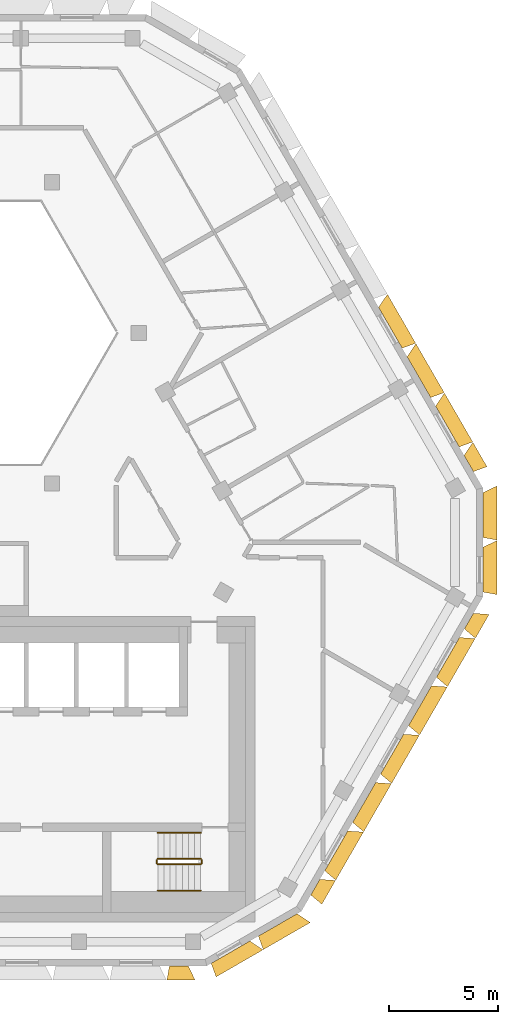
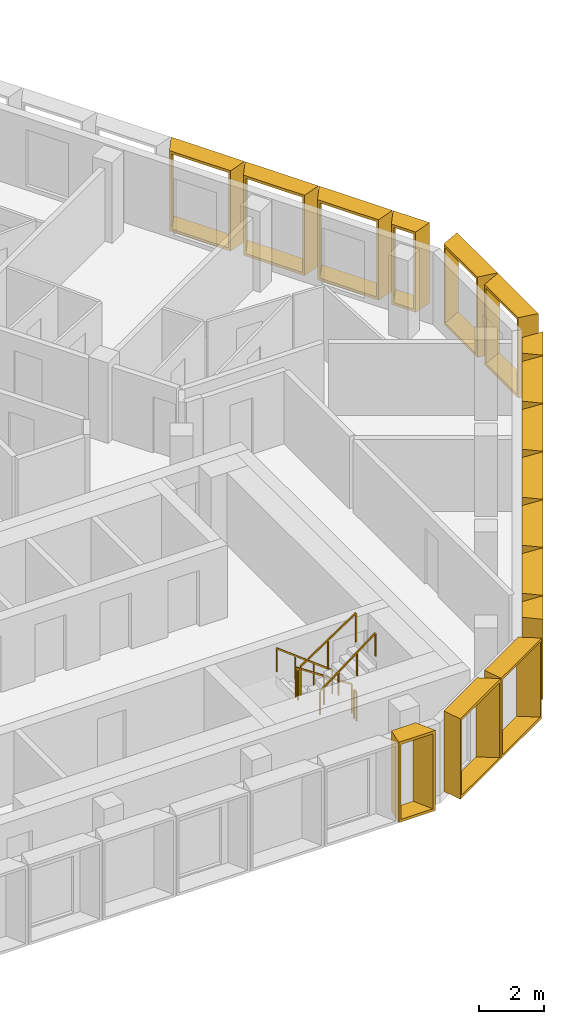
# One storey, part 13 of 14: 16 shading devices, 6 railings.
"""IFC4 building model written with IfcOpenShell, lengths in metres."""

from ifc_helpers import new_model, entity, si_unit, direction, frame, origin, origin_2d, place, context, subcontext, project, spatial, rectangle, extrude, source, transform, mapped, material, type_object, type_shapes, element, save


model = new_model("IFC4")

# Units and contexts
model_context = context("Model", 3, precision=1e-05, world=origin(), true_north=direction((0.0, 1.0)))
body_context = subcontext(model_context, "Body", "Model", "MODEL_VIEW")
ifc_project = project(units=[si_unit("LENGTHUNIT", "METRE"), si_unit("AREAUNIT", "SQUARE_METRE"), si_unit("VOLUMEUNIT", "CUBIC_METRE"), si_unit("PLANEANGLEUNIT", "RADIAN"), si_unit("MASSUNIT", "GRAM", prefix="KILO")], contexts=[model_context])

# Site, building, storey
site_placement = place(None, origin())
site = spatial("IfcSite", under=ifc_project, at=site_placement, CompositionType="ELEMENT")
building_placement = place(site_placement, origin())
building = spatial("IfcBuilding", under=site, at=building_placement, Name="Beryl Residences", CompositionType="ELEMENT")
storey_placement = place(building_placement, frame((0.0, 0.0, 235.800048828125)))
storey = spatial("IfcBuildingStorey", under=building, at=storey_placement, Name="L73", CompositionType="ELEMENT", Elevation=235.800048828125)

# Shading devices
ifc_material_1 = material(Name="Aluminium pale anodised", Category="aluminium")
shading_device_type_1 = type_object("IfcShadingDeviceType", Name="FR128-65C OUTER SKIN frame 650 mm deep, splay 10/26 deg, 1280 x 3000 mm cell", PredefinedType="USERDEFINED", material=ifc_material_1)
cartesian_point_1 = entity("IfcCartesianPoint", [-0.4140625, 0.0])
cartesian_point_2 = entity("IfcCartesianPoint", [-0.332763671875, 0.10009765625])
cartesian_point_3 = entity("IfcCartesianPoint", [-0.528564453125, 0.0])
cartesian_point_4 = entity("IfcCartesianPoint", [-0.447265625, 0.10009765625])
shared_shape_1 = source(origin(), body_context, "Body", "SweptSolid", [
    entity("IfcExtrudedAreaSolidTapered", entity("IfcArbitraryProfileDefWithVoids", "AREA", None, entity("IfcPolyline", [cartesian_point_1, entity("IfcCartesianPoint", [0.4140625, 0.0]), entity("IfcCartesianPoint", [0.4140625, 3.0]), entity("IfcCartesianPoint", [-0.4140625, 3.0]), cartesian_point_1]), [entity("IfcPolyline", [cartesian_point_2, entity("IfcCartesianPoint", [0.324951171875, 0.10009765625]), entity("IfcCartesianPoint", [0.324951171875, 2.89990234375]), entity("IfcCartesianPoint", [-0.332763671875, 2.89990234375]), cartesian_point_2])]), entity("IfcAxis2Placement3D", entity("IfcCartesianPoint", [0.0, 0.0, 0.0]), entity("IfcDirection", [0.0, 1.0, 0.0]), entity("IfcDirection", [-1.0, 0.0, 0.0])), entity("IfcDirection", [0.0, 0.0, 1.0]), 0.64990234375, entity("IfcArbitraryProfileDefWithVoids", "AREA", None, entity("IfcPolyline", [cartesian_point_3, entity("IfcCartesianPoint", [0.73095703125, 0.0]), entity("IfcCartesianPoint", [0.73095703125, 3.0]), entity("IfcCartesianPoint", [-0.528564453125, 3.0]), cartesian_point_3]), [entity("IfcPolyline", [cartesian_point_4, entity("IfcCartesianPoint", [0.64208984375, 0.10009765625]), entity("IfcCartesianPoint", [0.64208984375, 2.89990234375]), entity("IfcCartesianPoint", [-0.447265625, 2.89990234375]), cartesian_point_4])])),
])
type_shapes(shading_device_type_1, [shared_shape_1])
for number, where, z_axis, x_axis, name in (
    (1, (16.052978515625, -17.39599609375, 0.0), (0.0, 0.0, 1.0), (-0.5, -0.866025403784, 0.0), "FR128-65C frame L73 SE 1"),
    (2, (23.091064453125, -5.205078125, 0.0), (0.0, 0.0, 1.0), (-0.5, -0.866025403784, 0.0), "FR128-65C frame L73 SE 7"),
):
    element("IfcShadingDevice", number, at=place(storey_placement, frame(where, z_axis=z_axis, x_axis=x_axis)), inside=storey, type_object=shading_device_type_1, Name=name, ObjectType="OUTER SKIN", PredefinedType="USERDEFINED", context=body_context, shape_type="MappedRepresentation", body=[
        mapped(shared_shape_1, transform((0.0, 0.0, 0.0))),
    ])
ifc_material_2 = material(Name="Aluminium pale anodised", Category="aluminium")
shading_device_type_2 = type_object("IfcShadingDeviceType", Name="FR131-65C OUTER SKIN frame 650 mm deep, splay 10/26 deg, 1310 x 3000 mm cell", PredefinedType="USERDEFINED", material=ifc_material_2)
cartesian_point_5 = entity("IfcCartesianPoint", [-0.428955078125, 0.0])
cartesian_point_6 = entity("IfcCartesianPoint", [-0.34765625, 0.10009765625])
cartesian_point_7 = entity("IfcCartesianPoint", [-0.543701171875, 0.0])
cartesian_point_8 = entity("IfcCartesianPoint", [-0.46240234375, 0.10009765625])
shared_shape_2 = source(origin(), body_context, "Body", "SweptSolid", [
    entity("IfcExtrudedAreaSolidTapered", entity("IfcArbitraryProfileDefWithVoids", "AREA", None, entity("IfcPolyline", [cartesian_point_5, entity("IfcCartesianPoint", [0.428955078125, 0.0]), entity("IfcCartesianPoint", [0.428955078125, 3.0]), entity("IfcCartesianPoint", [-0.428955078125, 3.0]), cartesian_point_5]), [entity("IfcPolyline", [cartesian_point_6, entity("IfcCartesianPoint", [0.340087890625, 0.10009765625]), entity("IfcCartesianPoint", [0.340087890625, 2.89990234375]), entity("IfcCartesianPoint", [-0.34765625, 2.89990234375]), cartesian_point_6])]), entity("IfcAxis2Placement3D", entity("IfcCartesianPoint", [0.0, 0.0, 0.0]), entity("IfcDirection", [0.0, 1.0, 0.0]), entity("IfcDirection", [-1.0, 0.0, 0.0])), entity("IfcDirection", [0.0, 0.0, 1.0]), 0.64990234375, entity("IfcArbitraryProfileDefWithVoids", "AREA", None, entity("IfcPolyline", [cartesian_point_7, entity("IfcCartesianPoint", [0.74609375, 0.0]), entity("IfcCartesianPoint", [0.74609375, 3.0]), entity("IfcCartesianPoint", [-0.543701171875, 3.0]), cartesian_point_7]), [entity("IfcPolyline", [cartesian_point_8, entity("IfcCartesianPoint", [0.656982421875, 0.10009765625]), entity("IfcCartesianPoint", [0.656982421875, 2.89990234375]), entity("IfcCartesianPoint", [-0.46240234375, 2.89990234375]), cartesian_point_8])])),
])
type_shapes(shading_device_type_2, [shared_shape_2])
for number, where, z_axis, x_axis, name in (
    (3, (9.797119140625, -21.0, 0.0), (0.0, 0.0, 1.0), (-1.0, 0.0, 0.0), "FR131-65C frame L73 S 9"),
    (4, (23.083984375, 2.01611328125, 0.0), (0.0, 0.0, 1.0), (0.5, -0.866025403784, 0.0), "FR131-65C frame L73 NE 1"),
):
    element("IfcShadingDevice", number, at=place(storey_placement, frame(where, z_axis=z_axis, x_axis=x_axis)), inside=storey, type_object=shading_device_type_2, Name=name, ObjectType="OUTER SKIN", PredefinedType="USERDEFINED", context=body_context, shape_type="MappedRepresentation", body=[
        mapped(shared_shape_2, transform((0.0, 0.0, 0.0))),
    ])
ifc_material_3 = material(Name="Aluminium pale anodised", Category="aluminium")
shading_device_type_3 = type_object("IfcShadingDeviceType", Name="FR250-65C OUTER SKIN frame 650 mm deep, splay 10/26 deg, 2500 x 3000 mm cell", PredefinedType="USERDEFINED", material=ifc_material_3)
cartesian_point_9 = entity("IfcCartesianPoint", [-1.02392578125, 0.0])
cartesian_point_10 = entity("IfcCartesianPoint", [-0.94287109375, 0.10009765625])
cartesian_point_11 = entity("IfcCartesianPoint", [-1.138671875, 0.0])
cartesian_point_12 = entity("IfcCartesianPoint", [-1.057373046875, 0.10009765625])
shared_shape_3 = source(origin(), body_context, "Body", "SweptSolid", [
    entity("IfcExtrudedAreaSolidTapered", entity("IfcArbitraryProfileDefWithVoids", "AREA", None, entity("IfcPolyline", [cartesian_point_9, entity("IfcCartesianPoint", [1.02392578125, 0.0]), entity("IfcCartesianPoint", [1.02392578125, 3.0]), entity("IfcCartesianPoint", [-1.02392578125, 3.0]), cartesian_point_9]), [entity("IfcPolyline", [cartesian_point_10, entity("IfcCartesianPoint", [0.93505859375, 0.10009765625]), entity("IfcCartesianPoint", [0.93505859375, 2.89990234375]), entity("IfcCartesianPoint", [-0.94287109375, 2.89990234375]), cartesian_point_10])]), entity("IfcAxis2Placement3D", entity("IfcCartesianPoint", [0.0, 0.0, 0.0]), entity("IfcDirection", [0.0, 1.0, 0.0]), entity("IfcDirection", [-1.0, 0.0, 0.0])), entity("IfcDirection", [0.0, 0.0, 1.0]), 0.64990234375, entity("IfcArbitraryProfileDefWithVoids", "AREA", None, entity("IfcPolyline", [cartesian_point_11, entity("IfcCartesianPoint", [1.341064453125, 0.0]), entity("IfcCartesianPoint", [1.341064453125, 3.0]), entity("IfcCartesianPoint", [-1.138671875, 3.0]), cartesian_point_11]), [entity("IfcPolyline", [cartesian_point_12, entity("IfcCartesianPoint", [1.251953125, 0.10009765625]), entity("IfcCartesianPoint", [1.251953125, 2.89990234375]), entity("IfcCartesianPoint", [-1.057373046875, 2.89990234375]), cartesian_point_12])])),
])
type_shapes(shading_device_type_3, [shared_shape_3])
for number, where, z_axis, x_axis, name in (
    (5, (12.16796875, -20.375, 0.0), (0.0, 0.0, 1.0), (-0.866025403784, -0.5, 0.0), "FR250-65C frame L73 S-SE 1"),
    (6, (14.33203125, -19.125, 0.0), (0.0, 0.0, 1.0), (-0.866025403784, -0.5, 0.0), "FR250-65C frame L73 S-SE 2"),
    (7, (23.72900390625, -2.85009765625, 0.0), (0.0, 0.0, 1.0), (0.0, -1.0, 0.0), "FR250-65C frame L73 SE-NE 1"),
    (8, (23.72900390625, -0.35009765625, 0.0), (0.0, 0.0, 1.0), (0.0, -1.0, 0.0), "FR250-65C frame L73 SE-NE 2"),
):
    element("IfcShadingDevice", number, at=place(storey_placement, frame(where, z_axis=z_axis, x_axis=x_axis)), inside=storey, type_object=shading_device_type_3, Name=name, ObjectType="OUTER SKIN", PredefinedType="USERDEFINED", context=body_context, shape_type="MappedRepresentation", body=[
        mapped(shared_shape_3, transform((0.0, 0.0, 0.0))),
    ])
ifc_material_4 = material(Name="Aluminium pale anodised", Category="aluminium")
shading_device_type_4 = type_object("IfcShadingDeviceType", Name="FR256-65C OUTER SKIN frame 650 mm deep, splay 10/26 deg, 2560 x 3000 mm cell", PredefinedType="USERDEFINED", material=ifc_material_4)
cartesian_point_13 = entity("IfcCartesianPoint", [-1.053955078125, 0.0])
cartesian_point_14 = entity("IfcCartesianPoint", [-0.97265625, 0.10009765625])
cartesian_point_15 = entity("IfcCartesianPoint", [-1.168701171875, 0.0])
cartesian_point_16 = entity("IfcCartesianPoint", [-1.08740234375, 0.10009765625])
shared_shape_4 = source(origin(), body_context, "Body", "SweptSolid", [
    entity("IfcExtrudedAreaSolidTapered", entity("IfcArbitraryProfileDefWithVoids", "AREA", None, entity("IfcPolyline", [cartesian_point_13, entity("IfcCartesianPoint", [1.053955078125, 0.0]), entity("IfcCartesianPoint", [1.053955078125, 3.0]), entity("IfcCartesianPoint", [-1.053955078125, 3.0]), cartesian_point_13]), [entity("IfcPolyline", [cartesian_point_14, entity("IfcCartesianPoint", [0.965087890625, 0.10009765625]), entity("IfcCartesianPoint", [0.965087890625, 2.89990234375]), entity("IfcCartesianPoint", [-0.97265625, 2.89990234375]), cartesian_point_14])]), entity("IfcAxis2Placement3D", entity("IfcCartesianPoint", [0.0, 0.0, 0.0]), entity("IfcDirection", [0.0, 1.0, 0.0]), entity("IfcDirection", [-1.0, 0.0, 0.0])), entity("IfcDirection", [0.0, 0.0, 1.0]), 0.64990234375, entity("IfcArbitraryProfileDefWithVoids", "AREA", None, entity("IfcPolyline", [cartesian_point_15, entity("IfcCartesianPoint", [1.37109375, 0.0]), entity("IfcCartesianPoint", [1.37109375, 3.0]), entity("IfcCartesianPoint", [-1.168701171875, 3.0]), cartesian_point_15]), [entity("IfcPolyline", [cartesian_point_16, entity("IfcCartesianPoint", [1.281982421875, 0.10009765625]), entity("IfcCartesianPoint", [1.281982421875, 2.89990234375]), entity("IfcCartesianPoint", [-1.08740234375, 2.89990234375]), cartesian_point_16])])),
])
type_shapes(shading_device_type_4, [shared_shape_4])
for number, where, z_axis, x_axis, name in (
    (9, (17.011962890625, -15.73388671875, 0.0), (0.0, 0.0, 1.0), (-0.5, -0.866025403784, 0.0), "FR256-65C frame L73 SE 2"),
    (10, (18.2919921875, -13.51708984375, 0.0), (0.0, 0.0, 1.0), (-0.5, -0.866025403784, 0.0), "FR256-65C frame L73 SE 3"),
    (11, (19.572021484375, -11.300048828125, 0.0), (0.0, 0.0, 1.0), (-0.5, -0.866025403784, 0.0), "FR256-65C frame L73 SE 4"),
    (12, (20.85107421875, -9.083984375, 0.0), (0.0, 0.0, 1.0), (-0.5, -0.866025403784, 0.0), "FR256-65C frame L73 SE 5"),
    (13, (22.131103515625, -6.866943359375, 0.0), (0.0, 0.0, 1.0), (-0.5, -0.866025403784, 0.0), "FR256-65C frame L73 SE 6"),
):
    element("IfcShadingDevice", number, at=place(storey_placement, frame(where, z_axis=z_axis, x_axis=x_axis)), inside=storey, type_object=shading_device_type_4, Name=name, ObjectType="OUTER SKIN", PredefinedType="USERDEFINED", context=body_context, shape_type="MappedRepresentation", body=[
        mapped(shared_shape_4, transform((0.0, 0.0, 0.0))),
    ])
ifc_material_5 = material(Name="Aluminium pale anodised", Category="aluminium")
shading_device_type_5 = type_object("IfcShadingDeviceType", Name="FR261-65C OUTER SKIN frame 650 mm deep, splay 10/26 deg, 2610 x 3000 mm cell", PredefinedType="USERDEFINED", material=ifc_material_5)
cartesian_point_17 = entity("IfcCartesianPoint", [-1.0791015625, 0.0])
cartesian_point_18 = entity("IfcCartesianPoint", [-0.997802734375, 0.10009765625])
cartesian_point_19 = entity("IfcCartesianPoint", [-1.193603515625, 0.0])
cartesian_point_20 = entity("IfcCartesianPoint", [-1.1123046875, 0.10009765625])
shared_shape_5 = source(origin(), body_context, "Body", "SweptSolid", [
    entity("IfcExtrudedAreaSolidTapered", entity("IfcArbitraryProfileDefWithVoids", "AREA", None, entity("IfcPolyline", [cartesian_point_17, entity("IfcCartesianPoint", [1.0791015625, 0.0]), entity("IfcCartesianPoint", [1.0791015625, 3.0]), entity("IfcCartesianPoint", [-1.0791015625, 3.0]), cartesian_point_17]), [entity("IfcPolyline", [cartesian_point_18, entity("IfcCartesianPoint", [0.989990234375, 0.10009765625]), entity("IfcCartesianPoint", [0.989990234375, 2.89990234375]), entity("IfcCartesianPoint", [-0.997802734375, 2.89990234375]), cartesian_point_18])]), entity("IfcAxis2Placement3D", entity("IfcCartesianPoint", [0.0, 0.0, 0.0]), entity("IfcDirection", [0.0, 1.0, 0.0]), entity("IfcDirection", [-1.0, 0.0, 0.0])), entity("IfcDirection", [0.0, 0.0, 1.0]), 0.64990234375, entity("IfcArbitraryProfileDefWithVoids", "AREA", None, entity("IfcPolyline", [cartesian_point_19, entity("IfcCartesianPoint", [1.39599609375, 0.0]), entity("IfcCartesianPoint", [1.39599609375, 3.0]), entity("IfcCartesianPoint", [-1.193603515625, 3.0]), cartesian_point_19]), [entity("IfcPolyline", [cartesian_point_20, entity("IfcCartesianPoint", [1.30712890625, 0.10009765625]), entity("IfcCartesianPoint", [1.30712890625, 2.89990234375]), entity("IfcCartesianPoint", [-1.1123046875, 2.89990234375]), cartesian_point_20])])),
])
type_shapes(shading_device_type_5, [shared_shape_5])
for number, where, z_axis, x_axis, name in (
    (14, (22.10498046875, 3.7119140625, 0.0), (0.0, 0.0, 1.0), (0.5, -0.866025403784, 0.0), "FR261-65C frame L73 NE 2"),
    (15, (20.798095703125, 5.97509765625, 0.0), (0.0, 0.0, 1.0), (0.5, -0.866025403784, 0.0), "FR261-65C frame L73 NE 3"),
    (16, (19.491943359375, 8.237060546875, 0.0), (0.0, 0.0, 1.0), (0.5, -0.866025403784, 0.0), "FR261-65C frame L73 NE 4"),
):
    element("IfcShadingDevice", number, at=place(storey_placement, frame(where, z_axis=z_axis, x_axis=x_axis)), inside=storey, type_object=shading_device_type_5, Name=name, ObjectType="OUTER SKIN", PredefinedType="USERDEFINED", context=body_context, shape_type="MappedRepresentation", body=[
        mapped(shared_shape_5, transform((0.0, 0.0, 0.0))),
    ])

# Railings
ifc_material_6 = material(Name="Stainless steel balustrade with glass infill", Category="steel")
railing_type_1 = type_object("IfcRailingType", Name="SG1 stair guard 1100 mm", PredefinedType="GUARDRAIL", material=ifc_material_6)
railing_1_placement = place(storey_placement, frame((10.800048828125, -16.10009765625, 0.1875)))
element("IfcRailing", 17, at=railing_1_placement, inside=storey, type_object=railing_type_1, Name="L73 ST-3 stair guard 1", PredefinedType="GUARDRAIL", context=body_context, shape_type="SweptSolid", body=[
    extrude(rectangle(XDim=0.048095703125, YDim=0.048095703125, at=origin_2d()), frame((0.0, 0.0, 1.076171875), z_axis=(-0.830902050051, 0.0, 0.556418712142), x_axis=(0.0, -1.0, 0.0)), (0.0, 0.0, 1.0), 2.35888671875),
    extrude(rectangle(XDim=0.0419921875, YDim=0.0419921875, at=origin_2d()), origin(), (0.0, 0.0, 1.0), 1.052001953125),
    extrude(rectangle(XDim=0.0419921875, YDim=0.0419921875, at=origin_2d()), frame((-0.97998046875, 0.0, 0.65625)), (0.0, 0.0, 1.0), 1.052001953125),
    extrude(rectangle(XDim=0.0419921875, YDim=0.0419921875, at=origin_2d()), frame((-1.9599609375, 0.0, 1.3125)), (0.0, 0.0, 1.0), 1.052001953125),
])
railing_2_placement = place(storey_placement, frame((8.7900390625, -16.14990234375, 1.5)))
element("IfcRailing", 18, at=railing_2_placement, inside=storey, type_object=railing_type_1, Name="L73 ST-3 stair guard 2", PredefinedType="GUARDRAIL", context=body_context, shape_type="SweptSolid", body=[
    extrude(rectangle(XDim=0.048095703125, YDim=0.048095703125, at=origin_2d()), frame((0.0, 0.0, 1.076171875), z_axis=(0.0, -1.0, 0.0), x_axis=(1.0, 0.0, 0.0)), (0.0, 0.0, 1.0), 0.150146484375),
    extrude(rectangle(XDim=0.0419921875, YDim=0.0419921875, at=origin_2d()), origin(), (0.0, 0.0, 1.0), 1.052001953125),
    extrude(rectangle(XDim=0.0419921875, YDim=0.0419921875, at=origin_2d()), frame((0.0, -0.150146484375, 0.0)), (0.0, 0.0, 1.0), 1.052001953125),
])
railing_3_placement = place(storey_placement, frame((8.840087890625, -16.35009765625, 1.6875)))
element("IfcRailing", 19, at=railing_3_placement, inside=storey, type_object=railing_type_1, Name="L73 ST-3 stair guard 3", PredefinedType="GUARDRAIL", context=body_context, shape_type="SweptSolid", body=[
    extrude(rectangle(XDim=0.048095703125, YDim=0.048095703125, at=origin_2d()), frame((0.0, 0.0, 1.076171875), z_axis=(0.830902050051, 0.0, 0.556418712142), x_axis=(0.0, 1.0, 0.0)), (0.0, 0.0, 1.0), 2.35888671875),
    extrude(rectangle(XDim=0.0419921875, YDim=0.0419921875, at=origin_2d()), origin(), (0.0, 0.0, 1.0), 1.052001953125),
    extrude(rectangle(XDim=0.0419921875, YDim=0.0419921875, at=origin_2d()), frame((0.97998046875, 0.0, 0.65625)), (0.0, 0.0, 1.0), 1.052001953125),
    extrude(rectangle(XDim=0.0419921875, YDim=0.0419921875, at=origin_2d()), frame((1.9599609375, 0.0, 1.3125)), (0.0, 0.0, 1.0), 1.052001953125),
])
railing_4_placement = place(storey_placement, frame((10.85009765625, -16.14990234375, 0.0)))
element("IfcRailing", 20, at=railing_4_placement, inside=storey, type_object=railing_type_1, Name="L73 ST-3 stair guard 4", PredefinedType="GUARDRAIL", context=body_context, shape_type="SweptSolid", body=[
    extrude(rectangle(XDim=0.048095703125, YDim=0.048095703125, at=origin_2d()), frame((0.0, 0.0, 1.076171875), z_axis=(0.0, -1.0, 0.0), x_axis=(1.0, 0.0, 0.0)), (0.0, 0.0, 1.0), 0.150146484375),
    extrude(rectangle(XDim=0.0419921875, YDim=0.0419921875, at=origin_2d()), origin(), (0.0, 0.0, 1.0), 1.052001953125),
    extrude(rectangle(XDim=0.0419921875, YDim=0.0419921875, at=origin_2d()), frame((0.0, -0.150146484375, 0.0)), (0.0, 0.0, 1.0), 1.052001953125),
])
ifc_material_7 = material(Name="Stainless steel handrail", Category="steel")
railing_type_2 = type_object("IfcRailingType", Name="SRL1 stair handrail 900 mm", PredefinedType="HANDRAIL", material=ifc_material_7)
railing_5_placement = place(storey_placement, frame((10.800048828125, -14.89990234375, 0.1875)))
element("IfcRailing", 21, at=railing_5_placement, inside=storey, type_object=railing_type_2, Name="L73 ST-3 stair handrail 1", PredefinedType="HANDRAIL", context=body_context, shape_type="SweptSolid", body=[
    extrude(rectangle(XDim=0.048095703125, YDim=0.048095703125, at=origin_2d()), frame((0.0, 0.0, 0.8759765625), z_axis=(-0.794121922505, 0.0, 0.607758481798), x_axis=(0.0, -1.0, 0.0)), (0.0, 0.0, 1.0), 2.468017578125),
    extrude(rectangle(XDim=0.0419921875, YDim=0.0419921875, at=origin_2d()), origin(), (0.0, 0.0, 1.0), 0.851806640625),
    extrude(rectangle(XDim=0.0419921875, YDim=0.0419921875, at=origin_2d()), frame((-0.6533203125, 0.0, 0.5)), (0.0, 0.0, 1.0), 0.851806640625),
    extrude(rectangle(XDim=0.0419921875, YDim=0.0419921875, at=origin_2d()), frame((-1.306640625, 0.0, 1.0)), (0.0, 0.0, 1.0), 0.851806640625),
    extrude(rectangle(XDim=0.0419921875, YDim=0.0419921875, at=origin_2d()), frame((-1.9599609375, 0.0, 1.5)), (0.0, 0.0, 1.0), 0.851806640625),
])
railing_6_placement = place(storey_placement, frame((8.840087890625, -17.550048828125, 1.6875)))
element("IfcRailing", 22, at=railing_6_placement, inside=storey, type_object=railing_type_2, Name="L73 ST-3 stair handrail 2", PredefinedType="HANDRAIL", context=body_context, shape_type="SweptSolid", body=[
    extrude(rectangle(XDim=0.048095703125, YDim=0.048095703125, at=origin_2d()), frame((0.0, 0.0, 0.8759765625), z_axis=(0.794121922505, 0.0, 0.607758481798), x_axis=(0.0, 1.0, 0.0)), (0.0, 0.0, 1.0), 2.468017578125),
    extrude(rectangle(XDim=0.0419921875, YDim=0.0419921875, at=origin_2d()), origin(), (0.0, 0.0, 1.0), 0.851806640625),
    extrude(rectangle(XDim=0.0419921875, YDim=0.0419921875, at=origin_2d()), frame((0.6533203125, 0.0, 0.5)), (0.0, 0.0, 1.0), 0.851806640625),
    extrude(rectangle(XDim=0.0419921875, YDim=0.0419921875, at=origin_2d()), frame((1.306640625, 0.0, 1.0)), (0.0, 0.0, 1.0), 0.851806640625),
    extrude(rectangle(XDim=0.0419921875, YDim=0.0419921875, at=origin_2d()), frame((1.9599609375, 0.0, 1.5)), (0.0, 0.0, 1.0), 0.851806640625),
])

save(model, "model.ifc")
